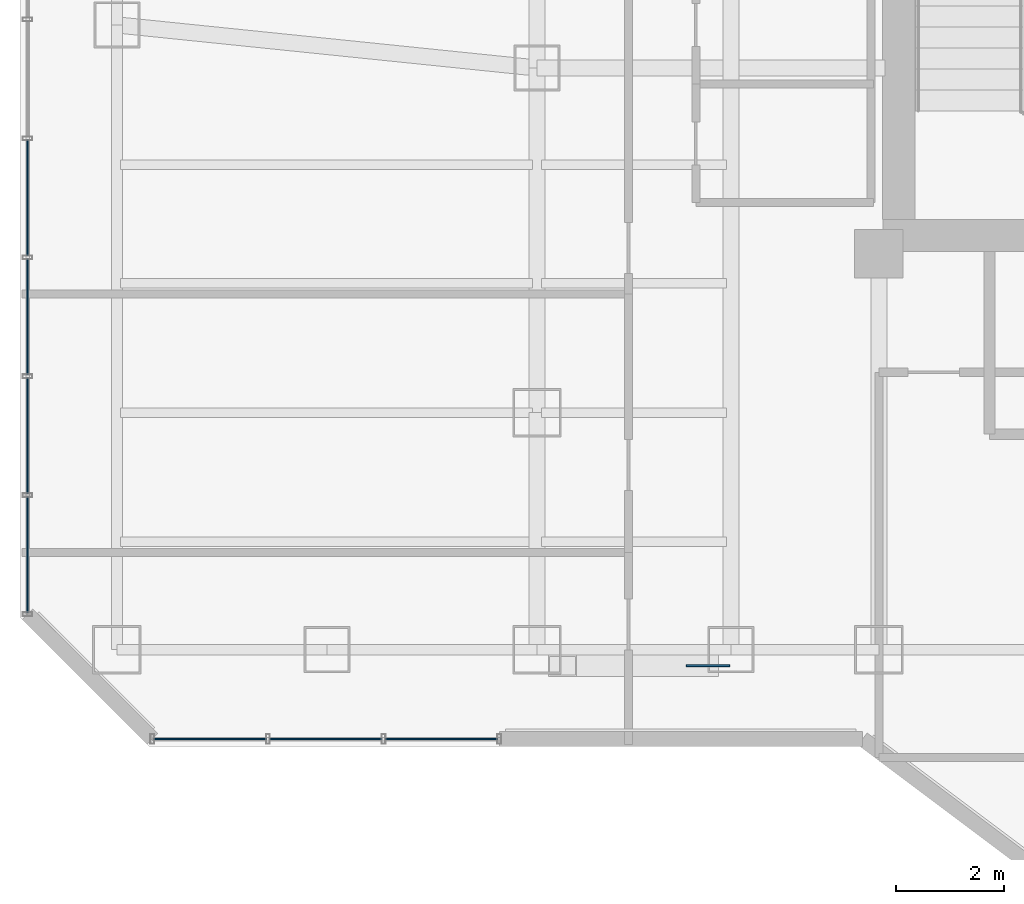
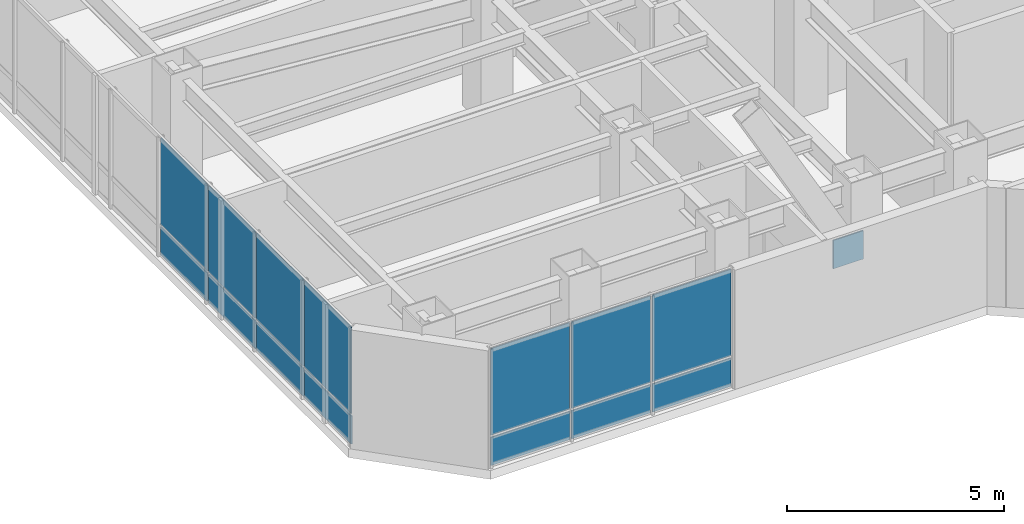
# One storey, part 20 of 31: 15 plates, 2 elements without a shape of their own.
"""IFC4 building model written with IfcOpenShell, lengths in metres."""

from ifc_helpers import new_model, si_unit, direction, frame, origin, origin_2d, place, context, subcontext, project, spatial, rectangle, extrude, material, layer, layer_set, type_object, element, aggregate, save


model = new_model("IFC4")

# Units and contexts
model_context = context("Model", 3, precision=1e-05, world=origin(), true_north=direction((0.0, 1.0)))
body_context = subcontext(model_context, "Body", "Model", "MODEL_VIEW")
ifc_project = project(units=[si_unit("LENGTHUNIT", "METRE"), si_unit("AREAUNIT", "SQUARE_METRE"), si_unit("VOLUMEUNIT", "CUBIC_METRE"), si_unit("PLANEANGLEUNIT", "RADIAN"), si_unit("MASSUNIT", "GRAM", prefix="KILO")], contexts=[model_context])

# Site, building, storey
site_placement = place(None, origin())
site = spatial("IfcSite", under=ifc_project, at=site_placement, CompositionType="ELEMENT")
building_placement = place(site_placement, origin())
building = spatial("IfcBuilding", under=site, at=building_placement, Name="Hatsunagi Terrace Concourse", CompositionType="ELEMENT")
storey_placement = place(building_placement, frame((0.0, 0.0, 112.050048828125)))
storey = spatial("IfcBuildingStorey", under=building, at=storey_placement, Name="L29", CompositionType="ELEMENT", Elevation=112.050048828125)

# Curtain wall, plates
ifc_material_1 = material(Name="Anodised Aluminium Alloy 6063-T5", Category="aluminium")
ifc_layer_1 = layer(ifc_material_1, 0.199951171875)
ifc_layer_set_1 = layer_set([ifc_layer_1], Name="OfficeZone1_CW03")
curtain_wall_type = type_object("IfcCurtainWallType", Name="OfficeZone1_CW03", PredefinedType="NOTDEFINED", material=ifc_layer_set_1)
curtain_wall_1_placement = place(storey_placement, origin())
curtain_wall_1 = element("IfcCurtainWall", 1, at=curtain_wall_1_placement, inside=storey, type_object=curtain_wall_type, Name="Unitised Curtain Wall CW-03 CW-L29-07", PredefinedType="NOTDEFINED")
ifc_material_2 = material(Name="Warm Terracotta Ceramic Spandrel Panel", Category="masonry")
ifc_layer_2 = layer(ifc_material_2, 0.031982421875)
ifc_layer_set_2 = layer_set([ifc_layer_2], Name="CurtainWallSpandrelPanel_32")
plate_type_1 = type_object("IfcPlateType", Name="CurtainWallSpandrelPanel_32", PredefinedType="SHEET", material=ifc_layer_set_2)
plate_1_placement = place(storey_placement, frame((17.426025390625, 23.5400390625, 0.030029296875), z_axis=(0.0, 0.0, 1.0), x_axis=(-1.0, 0.0, 0.0)))
plate_1 = element("IfcPlate", 2, at=plate_1_placement, type_object=plate_type_1, Name="Terracotta Spandrel Panel SPN-01", PredefinedType="SHEET", context=body_context, shape_type="SweptSolid", body=[
    extrude(rectangle(XDim=2.092041015625, YDim=0.031982421875, at=origin_2d()), origin(), (0.0, 0.0, 1.0), 0.7900390625),
])
plate_2_placement = place(storey_placement, frame((15.279052734375, 23.5400390625, 0.030029296875), z_axis=(0.0, 0.0, 1.0), x_axis=(-1.0, 0.0, 0.0)))
plate_2 = element("IfcPlate", 3, at=plate_2_placement, type_object=plate_type_1, Name="Terracotta Spandrel Panel SPN-01", PredefinedType="SHEET", context=body_context, shape_type="SweptSolid", body=[
    extrude(rectangle(XDim=2.092041015625, YDim=0.031982421875, at=origin_2d()), origin(), (0.0, 0.0, 1.0), 0.7900390625),
])
plate_3_placement = place(storey_placement, frame((13.132080078125, 23.5400390625, 0.030029296875), z_axis=(0.0, 0.0, 1.0), x_axis=(-1.0, 0.0, 0.0)))
plate_3 = element("IfcPlate", 4, at=plate_3_placement, type_object=plate_type_1, Name="Terracotta Spandrel Panel SPN-01", PredefinedType="SHEET", context=body_context, shape_type="SweptSolid", body=[
    extrude(rectangle(XDim=2.092041015625, YDim=0.031982421875, at=origin_2d()), origin(), (0.0, 0.0, 1.0), 0.7900390625),
])

curtain_wall_2_placement = place(storey_placement, origin())
curtain_wall_2 = element("IfcCurtainWall", 5, at=curtain_wall_2_placement, inside=storey, type_object=curtain_wall_type, Name="Unitised Curtain Wall CW-03 CW-L29-09", PredefinedType="NOTDEFINED")
plate_4_placement = place(storey_placement, frame((9.739990234375, 26.9619140625, 0.030029296875), z_axis=(0.0, 0.0, 1.0), x_axis=(0.0, 1.0, 0.0)))
plate_4 = element("IfcPlate", 6, at=plate_4_placement, type_object=plate_type_1, Name="Terracotta Spandrel Panel SPN-01", PredefinedType="SHEET", context=body_context, shape_type="SweptSolid", body=[
    extrude(rectangle(XDim=2.153076171875, YDim=0.031982421875, at=origin_2d()), origin(), (0.0, 0.0, 1.0), 0.7900390625),
])
plate_5_placement = place(storey_placement, frame((9.739990234375, 29.1708984375, 0.030029296875), z_axis=(0.0, 0.0, 1.0), x_axis=(0.0, 1.0, 0.0)))
plate_5 = element("IfcPlate", 7, at=plate_5_placement, type_object=plate_type_1, Name="Terracotta Spandrel Panel SPN-01", PredefinedType="SHEET", context=body_context, shape_type="SweptSolid", body=[
    extrude(rectangle(XDim=2.153076171875, YDim=0.031982421875, at=origin_2d()), origin(), (0.0, 0.0, 1.0), 0.7900390625),
])
plate_6_placement = place(storey_placement, frame((9.739990234375, 31.37890625, 0.030029296875), z_axis=(0.0, 0.0, 1.0), x_axis=(0.0, 1.0, 0.0)))
plate_6 = element("IfcPlate", 8, at=plate_6_placement, type_object=plate_type_1, Name="Terracotta Spandrel Panel SPN-01", PredefinedType="SHEET", context=body_context, shape_type="SweptSolid", body=[
    extrude(rectangle(XDim=2.153076171875, YDim=0.031982421875, at=origin_2d()), origin(), (0.0, 0.0, 1.0), 0.7900390625),
])
plate_7_placement = place(storey_placement, frame((9.739990234375, 33.5869140625, 0.030029296875), z_axis=(0.0, 0.0, 1.0), x_axis=(0.0, 1.0, 0.0)))
plate_7 = element("IfcPlate", 9, at=plate_7_placement, type_object=plate_type_1, Name="Terracotta Spandrel Panel SPN-01", PredefinedType="SHEET", context=body_context, shape_type="SweptSolid", body=[
    extrude(rectangle(XDim=2.153076171875, YDim=0.031982421875, at=origin_2d()), origin(), (0.0, 0.0, 1.0), 0.7900390625),
])

# Plate
ifc_material_3 = material(Name="Low-E Double Insulating Glass 28mm", Category="glass")
ifc_layer_3 = layer(ifc_material_3, 0.028076171875)
ifc_layer_set_3 = layer_set([ifc_layer_3], Name="CurtainWallVisionGlass_28")
plate_type_2 = type_object("IfcPlateType", Name="CurtainWallVisionGlass_28", PredefinedType="CURTAIN_PANEL", material=ifc_layer_set_3)
plate_8_placement = place(storey_placement, frame((17.426025390625, 23.5400390625, 0.8798828125), z_axis=(0.0, 0.0, 1.0), x_axis=(-1.0, 0.0, 0.0)))
plate_8 = element("IfcPlate", 10, at=plate_8_placement, type_object=plate_type_2, Name="Low-E Vision Glass Panel GLZ-01", PredefinedType="CURTAIN_PANEL", context=body_context, shape_type="SweptSolid", body=[
    extrude(rectangle(XDim=2.092041015625, YDim=0.028076171875, at=origin_2d()), origin(), (0.0, 0.0, 1.0), 2.43994140625),
])

plate_9_placement = place(storey_placement, frame((15.279052734375, 23.5400390625, 0.8798828125), z_axis=(0.0, 0.0, 1.0), x_axis=(-1.0, 0.0, 0.0)))
plate_9 = element("IfcPlate", 11, at=plate_9_placement, type_object=plate_type_2, Name="Low-E Vision Glass Panel GLZ-01", PredefinedType="CURTAIN_PANEL", context=body_context, shape_type="SweptSolid", body=[
    extrude(rectangle(XDim=2.092041015625, YDim=0.028076171875, at=origin_2d()), origin(), (0.0, 0.0, 1.0), 2.43994140625),
])

plate_10_placement = place(storey_placement, frame((13.132080078125, 23.5400390625, 0.8798828125), z_axis=(0.0, 0.0, 1.0), x_axis=(-1.0, 0.0, 0.0)))
plate_10 = element("IfcPlate", 12, at=plate_10_placement, type_object=plate_type_2, Name="Low-E Vision Glass Panel GLZ-01", PredefinedType="CURTAIN_PANEL", context=body_context, shape_type="SweptSolid", body=[
    extrude(rectangle(XDim=2.092041015625, YDim=0.028076171875, at=origin_2d()), origin(), (0.0, 0.0, 1.0), 2.43994140625),
])

aggregate(curtain_wall_1, [plate_1, plate_8, plate_2, plate_9, plate_3, plate_10])

plate_11_placement = place(storey_placement, frame((9.739990234375, 26.9619140625, 0.8798828125), z_axis=(0.0, 0.0, 1.0), x_axis=(0.0, 1.0, 0.0)))
plate_11 = element("IfcPlate", 13, at=plate_11_placement, type_object=plate_type_2, Name="Low-E Vision Glass Panel GLZ-01", PredefinedType="CURTAIN_PANEL", context=body_context, shape_type="SweptSolid", body=[
    extrude(rectangle(XDim=2.153076171875, YDim=0.028076171875, at=origin_2d()), origin(), (0.0, 0.0, 1.0), 2.43994140625),
])

plate_12_placement = place(storey_placement, frame((9.739990234375, 29.1708984375, 0.8798828125), z_axis=(0.0, 0.0, 1.0), x_axis=(0.0, 1.0, 0.0)))
plate_12 = element("IfcPlate", 14, at=plate_12_placement, type_object=plate_type_2, Name="Low-E Vision Glass Panel GLZ-01", PredefinedType="CURTAIN_PANEL", context=body_context, shape_type="SweptSolid", body=[
    extrude(rectangle(XDim=2.153076171875, YDim=0.028076171875, at=origin_2d()), origin(), (0.0, 0.0, 1.0), 2.43994140625),
])

plate_13_placement = place(storey_placement, frame((9.739990234375, 31.37890625, 0.8798828125), z_axis=(0.0, 0.0, 1.0), x_axis=(0.0, 1.0, 0.0)))
plate_13 = element("IfcPlate", 15, at=plate_13_placement, type_object=plate_type_2, Name="Low-E Vision Glass Panel GLZ-01", PredefinedType="CURTAIN_PANEL", context=body_context, shape_type="SweptSolid", body=[
    extrude(rectangle(XDim=2.153076171875, YDim=0.028076171875, at=origin_2d()), origin(), (0.0, 0.0, 1.0), 2.43994140625),
])

plate_14_placement = place(storey_placement, frame((9.739990234375, 33.5869140625, 0.8798828125), z_axis=(0.0, 0.0, 1.0), x_axis=(0.0, 1.0, 0.0)))
plate_14 = element("IfcPlate", 16, at=plate_14_placement, type_object=plate_type_2, Name="Low-E Vision Glass Panel GLZ-01", PredefinedType="CURTAIN_PANEL", context=body_context, shape_type="SweptSolid", body=[
    extrude(rectangle(XDim=2.153076171875, YDim=0.028076171875, at=origin_2d()), origin(), (0.0, 0.0, 1.0), 2.43994140625),
])

aggregate(curtain_wall_2, [plate_4, plate_11, plate_5, plate_12, plate_6, plate_13, plate_7, plate_14])

ifc_material_4 = material(Name="Steel SN490C", Category="steel")
ifc_layer_4 = layer(ifc_material_4, 0.031982421875)
ifc_layer_set_4 = layer_set([ifc_layer_4], Name="XBraceNodeCapPlate_32")
plate_type_3 = type_object("IfcPlateType", Name="XBraceNodeCapPlate_32", PredefinedType="USERDEFINED", material=ifc_layer_set_4)
plate_15_placement = place(storey_placement, frame((22.375, 24.89990234375, 1.27490234375), z_axis=(0.0, 0.0, 1.0), x_axis=(1.0, 0.0, 0.0)))
element("IfcPlate", 17, at=plate_15_placement, inside=storey, type_object=plate_type_3, Name="X-Brace Crossing Gusset Node Plate GP-02 XB-L28-W1", ObjectType="GUSSET_PLATE", PredefinedType="USERDEFINED", context=body_context, shape_type="SweptSolid", body=[
    extrude(rectangle(XDim=0.800048828125, YDim=0.031982421875, at=origin_2d()), origin(), (0.0, 0.0, 1.0), 0.800048828125),
])

save(model, "model.ifc")
